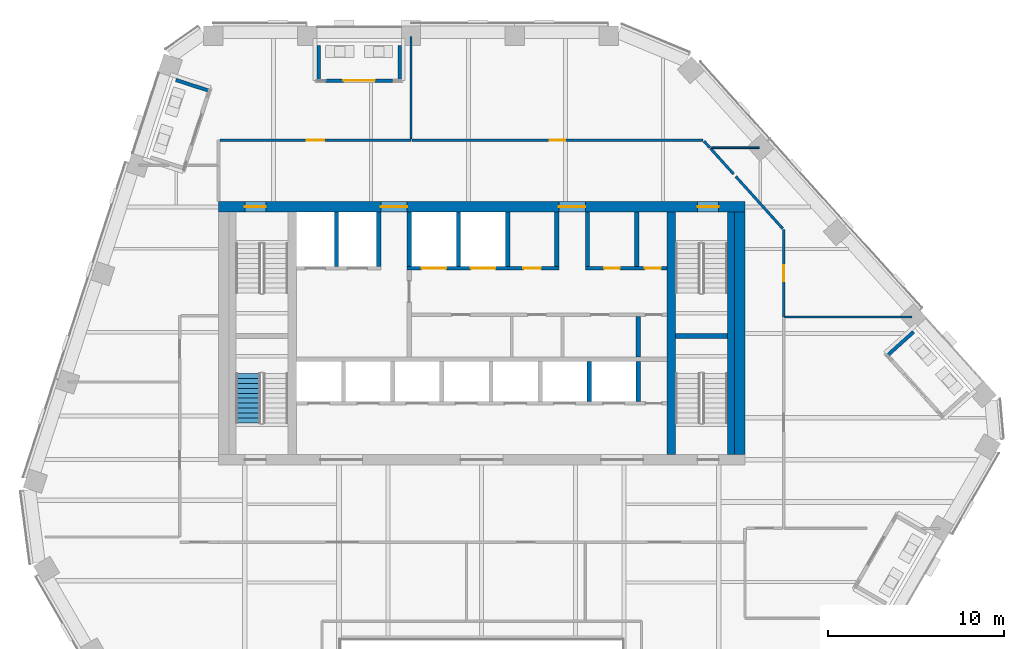
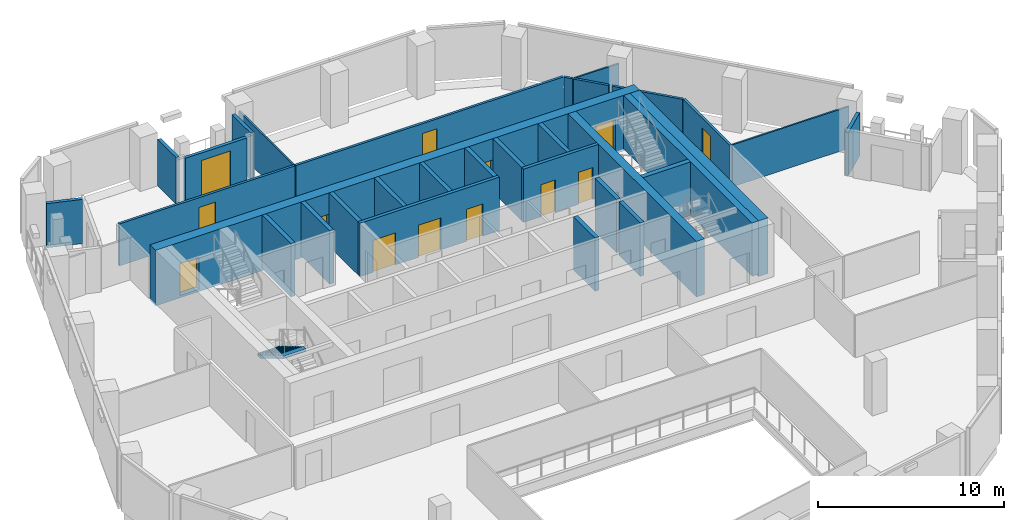
# One storey, part 18 of 25: 32 walls, 13 doors, 1 stair flight, 13 openings, 1 element without a shape of its own.
"""IFC4 building model written with IfcOpenShell, lengths in metres."""

import ifcopenshell
import ifcopenshell.guid

model = None  # the IFC model being written
_history = None  # IfcOwnerHistory: only IFC2X3 demands one
_inside = {}  # id of a spatial element -> (the spatial element, [elements in it])
_under = {}  # id of a project, library or spatial element -> (it, [spatial elements below it])
_declared = {}  # id of a project -> (the project, [libraries it declares])
_typed = {}  # id of a type object -> (the type object, [elements of that type])
_made_of = {}  # id of a material, layer set ... -> (it, [elements and type objects made of it])


def new_model(schema):
    """Start an empty IFC model of exactly this schema.

    Asked for "IFC4X3", IfcOpenShell would pick the latest addendum, in which some entities
    have other attributes; the version numbers below select the first issue.
    IFC2X3 requires an IfcOwnerHistory on every rooted entity: one is made here for all.
    """
    global model, _history
    if schema == "IFC4X3":
        model = ifcopenshell.file(schema_version=(4, 3, 0, 0))
    else:
        model = ifcopenshell.file(schema=schema)
    _inside.clear()
    _under.clear()
    _declared.clear()
    _typed.clear()
    _made_of.clear()
    _history = None
    if model.schema == "IFC2X3":
        org = make("IfcOrganization", Name="unknown")
        user = make(
            "IfcPersonAndOrganization",
            ThePerson=make("IfcPerson", FamilyName="unknown"),
            TheOrganization=org,
        )
        app = make(
            "IfcApplication",
            ApplicationDeveloper=org,
            Version="unknown",
            ApplicationFullName="unknown",
            ApplicationIdentifier="unknown",
        )
        _history = make(
            "IfcOwnerHistory",
            OwningUser=user,
            OwningApplication=app,
            ChangeAction="ADDED",
            CreationDate=0,
        )
    return model


def make(cls, **values):
    """One entity of the class cls with the attributes given. An attribute that is None is left unset."""
    return model.create_entity(
        cls, **{name: value for name, value in values.items() if value is not None}
    )


def rooted(cls, **values):
    """An entity with a GlobalId (a new one), such as an element, a storey or a relation."""
    return make(cls, GlobalId=ifcopenshell.guid.new(), OwnerHistory=_history, **values)


def si_unit(unit_type, name, prefix=None):
    """IfcSIUnit, for example si_unit("LENGTHUNIT", "METRE", prefix="MILLI")."""
    return make("IfcSIUnit", UnitType=unit_type, Prefix=prefix, Name=name)


def assignment(units):
    """IfcUnitAssignment: the units of a project."""
    return None if units is None else make("IfcUnitAssignment", Units=units)


def point(xyz):
    """IfcCartesianPoint."""
    return None if xyz is None else make("IfcCartesianPoint", Coordinates=xyz)


def direction(xyz):
    """IfcDirection."""
    return None if xyz is None else make("IfcDirection", DirectionRatios=xyz)


def frame(location, z_axis=None, x_axis=None):
    """IfcAxis2Placement3D, a coordinate frame: its origin and axes. An axis left out is left unset."""
    return make(
        "IfcAxis2Placement3D",
        Location=point(location),
        Axis=direction(z_axis),
        RefDirection=direction(x_axis),
    )


def frame_2d(location, x_axis=None):
    """IfcAxis2Placement2D, a coordinate frame in the plane: its origin and x axis."""
    return make(
        "IfcAxis2Placement2D", Location=point(location), RefDirection=direction(x_axis)
    )


def origin():
    """The frame at (0, 0, 0) with its axes left unset."""
    return frame((0.0, 0.0, 0.0))


def place(relative_to, where):
    """IfcLocalPlacement: puts the frame where relative to a parent placement (None: the world)."""
    return make(
        "IfcLocalPlacement", PlacementRelTo=relative_to, RelativePlacement=where
    )


def context(
    kind, dimensions, precision=None, world=None, true_north=None, identifier=None
):
    """IfcGeometricRepresentationContext, for example the 3D "Model" context."""
    return make(
        "IfcGeometricRepresentationContext",
        ContextIdentifier=identifier,
        ContextType=kind,
        CoordinateSpaceDimension=dimensions,
        Precision=precision,
        WorldCoordinateSystem=world,
        TrueNorth=true_north,
    )


def subcontext(parent, identifier, kind, view, scale=None):
    """IfcGeometricRepresentationSubContext, for example "Body" below "Model"."""
    return make(
        "IfcGeometricRepresentationSubContext",
        ContextIdentifier=identifier,
        ContextType=kind,
        ParentContext=parent,
        TargetScale=scale,
        TargetView=view,
    )


def project(units=None, contexts=None):
    """IfcProject with its units and contexts."""
    return rooted(
        "IfcProject",
        Name="project",
        RepresentationContexts=contexts,
        UnitsInContext=assignment(units),
    )


def spatial(cls, under=None, at=None, **own):
    """A site, building, storey or space (cls), placed at a placement, below another one or the project."""
    s = rooted(cls, ObjectPlacement=at, **own)
    if under is not None:
        _under.setdefault(under.id(), (under, []))[1].append(s)
    return s


def polyline(points):
    """IfcPolyline through the points."""
    return make("IfcPolyline", Points=[point(p) for p in points])


def profile(cls, at=None, kind="AREA", **sizes):
    """A parametric profile (cls). Its sizes go by their IFC names, for example OverallWidth=200.0."""
    return make(cls, ProfileType=kind, Position=at, **sizes)


def rectangle(**sizes):
    """IfcRectangleProfileDef."""
    return profile("IfcRectangleProfileDef", **sizes)


def outline(outer, holes=None, kind="AREA"):
    """IfcArbitraryClosedProfileDef: a profile drawn as a closed curve; with holes, ...WithVoids."""
    if holes is None:
        return make("IfcArbitraryClosedProfileDef", ProfileType=kind, OuterCurve=outer)
    return make(
        "IfcArbitraryProfileDefWithVoids",
        ProfileType=kind,
        OuterCurve=outer,
        InnerCurves=holes,
    )


def extrude(swept, where, along, depth):
    """IfcExtrudedAreaSolid: the profile swept, set in the frame where, extruded along a direction by depth."""
    return make(
        "IfcExtrudedAreaSolid",
        SweptArea=swept,
        Position=where,
        ExtrudedDirection=direction(along),
        Depth=depth,
    )


def shape(context_of_items, identifier, shape_type, items):
    """IfcShapeRepresentation: the items that make up one representation, for example the "Body"."""
    return make(
        "IfcShapeRepresentation",
        ContextOfItems=context_of_items,
        RepresentationIdentifier=identifier,
        RepresentationType=shape_type,
        Items=items,
    )


def material(Name=None, Category=None):
    """IfcMaterial."""
    return make("IfcMaterial", Name=Name, Category=Category)


def layer(
    of_material, thickness, ventilated=None, Name=None, Category=None, Priority=None
):
    """IfcMaterialLayer: one layer of a wall or slab, of a material (None: an air gap)."""
    return make(
        "IfcMaterialLayer",
        Material=of_material,
        LayerThickness=thickness,
        IsVentilated=ventilated,
        Name=Name,
        Category=Category,
        Priority=Priority,
    )


def layer_set(layers, Name=None):
    """IfcMaterialLayerSet."""
    return make("IfcMaterialLayerSet", MaterialLayers=layers, LayerSetName=Name)


def made_of(thing, what):
    """Note that an element or type object is made of a material, layer set ...; save() writes the relation."""
    if what is not None:
        _made_of.setdefault(what.id(), (what, []))[1].append(thing)
    return thing


def type_object(cls, material=None, **own):
    """A type object (cls), such as IfcWallType, which elements share."""
    return made_of(rooted(cls, **own), material)


def element(
    cls,
    number,
    at=None,
    inside=None,
    cuts=None,
    type_object=None,
    material=None,
    context=None,
    identifier="Body",
    shape_type=None,
    held_by="IfcProductDefinitionShape",
    body=None,
    shapes=None,
    **own,
):
    """One element of the class cls, such as IfcWall. Its Tag is "e" and its number.

    at: its placement. inside: the storey or other place that contains it. cuts: it is an
    opening in that element (IfcRelVoidsElement). A single representation is given by context,
    identifier, shape_type and body (its items); several are given by shapes. held_by: the class
    of the entity that holds the representations. save() writes the other relations.
    """
    e = rooted(cls, Tag="e%d" % number, ObjectPlacement=at, **own)
    if body is not None:
        shapes = [shape(context, identifier, shape_type, body)]
    if shapes is not None:
        e.Representation = make(held_by, Representations=shapes)
    if inside is not None:
        _inside.setdefault(inside.id(), (inside, []))[1].append(e)
    if cuts is not None:
        rooted(
            "IfcRelVoidsElement", RelatingBuildingElement=cuts, RelatedOpeningElement=e
        )
    if type_object is not None:
        _typed.setdefault(type_object.id(), (type_object, []))[1].append(e)
    return made_of(e, material)


def fill(opening, filler):
    """IfcRelFillsElement: the door or window that sits in an opening."""
    return rooted(
        "IfcRelFillsElement",
        RelatingOpeningElement=opening,
        RelatedBuildingElement=filler,
    )


def aggregate(whole, parts):
    """IfcRelAggregates: a whole, such as a stair, and the parts it consists of."""
    return rooted("IfcRelAggregates", RelatingObject=whole, RelatedObjects=parts)


def save(model, path):
    """Write the relations noted so far, then the file.

    IfcRelAggregates (storeys below a building ...), IfcRelContainedInSpatialStructure (elements
    in a storey), IfcRelDefinesByType, IfcRelAssociatesMaterial and IfcRelDeclares: one each for
    every whole, place, type object, material and project.
    """
    for whole, parts in _under.values():
        aggregate(whole, parts)
    for where, things in _inside.values():
        rooted(
            "IfcRelContainedInSpatialStructure",
            RelatedElements=things,
            RelatingStructure=where,
        )
    for kind, things in _typed.values():
        rooted("IfcRelDefinesByType", RelatedObjects=things, RelatingType=kind)
    for what, things in _made_of.values():
        rooted("IfcRelAssociatesMaterial", RelatedObjects=things, RelatingMaterial=what)
    for by, libraries in _declared.values():
        rooted("IfcRelDeclares", RelatingContext=by, RelatedDefinitions=libraries)
    model.write(path)


model = new_model("IFC4")

# Units and contexts
model_context = context("Model", 3, precision=1e-05, world=origin(), true_north=direction((0.0, 1.0)))
body_context = subcontext(model_context, "Body", "Model", "MODEL_VIEW")
ifc_project = project(units=[si_unit("LENGTHUNIT", "METRE"), si_unit("AREAUNIT", "SQUARE_METRE"), si_unit("VOLUMEUNIT", "CUBIC_METRE"), si_unit("PLANEANGLEUNIT", "RADIAN"), si_unit("MASSUNIT", "GRAM", prefix="KILO")], contexts=[model_context])

# Site, building, storey
site_placement = place(None, origin())
site = spatial("IfcSite", under=ifc_project, at=site_placement, CompositionType="ELEMENT")
building_placement = place(site_placement, origin())
building = spatial("IfcBuilding", under=site, at=building_placement, Name="Isthmus Gate Tower", CompositionType="ELEMENT")
storey_placement = place(building_placement, frame((0.0, 0.0, 249.14990234375)))
storey = spatial("IfcBuildingStorey", under=building, at=storey_placement, Name="L63", CompositionType="ELEMENT", Elevation=249.14990234375)

# Wall, opening, door
ifc_material_1 = material(Name="Gypsum board on steel studs, fire-rated", Category="steel")
ifc_layer_1 = layer(ifc_material_1, 0.14990234375)
ifc_layer_set_1 = layer_set([ifc_layer_1], Name="CORRIDOR WALL 150 60 MIN")
wall_type_1 = type_object("IfcWallType", Name="CORRIDOR WALL 150 60 MIN", PredefinedType="PARTITIONING", material=ifc_layer_set_1)
wall_1_placement = place(storey_placement, frame((17.199951171875, 13.407958984375, 0.0), z_axis=(0.0, 0.0, 1.0), x_axis=(0.0, -1.0, 0.0)))
wall_1 = element("IfcWall", 1, at=wall_1_placement, inside=storey, type_object=wall_type_1, Name="L63 Corridor Wall 150 60 Min", PredefinedType="PARTITIONING", context=body_context, shape_type="SweptSolid", body=[
    extrude(rectangle(XDim=4.97998046875, YDim=0.14990234375, at=frame_2d((2.489990234375, 0.0))), origin(), (0.0, 0.0, 1.0), 2.750732421875),
])
opening_1_placement = place(wall_1_placement, frame((2.0400390625, 0.0, 0.0)))
opening_1 = element("IfcOpeningElement", 2, at=opening_1_placement, cuts=wall_1, Name="Opening DT-T5D-04", PredefinedType="OPENING", context=body_context, shape_type="SweptSolid", body=[
    extrude(rectangle(XDim=0.89990234375, YDim=2.10009765625, at=frame_2d((0.449951171875, 1.050048828125))), frame((0.0, 0.0849609375, 0.0), z_axis=(0.0, -1.0, 0.0), x_axis=(1.0, 0.0, 0.0)), (0.0, 0.0, 1.0), 0.169921875),
])
ifc_material_2 = material(Name="Solid core timber door leaf, fire-rated", Category="wood")
door_type_1 = type_object("IfcDoorType", Name="FIRE DOOR ROOM 900 X 2100 60 MIN", OperationType="SINGLE_SWING_LEFT", PredefinedType="DOOR", material=ifc_material_2)
door_1_placement = place(opening_1_placement, origin())
door_1 = element("IfcDoor", 3, at=door_1_placement, inside=storey, type_object=door_type_1, Name="L63 room door", OperationType="SINGLE_SWING_LEFT", OverallHeight=2.10009765625, OverallWidth=0.89990234375, PredefinedType="DOOR", context=body_context, shape_type="SweptSolid", body=[
    extrude(rectangle(XDim=0.89990234375, YDim=2.10009765625, at=frame_2d((0.449951171875, 1.050048828125))), frame((0.0, 0.02490234375, 0.0), z_axis=(0.0, -1.0, 0.0), x_axis=(1.0, 0.0, 0.0)), (0.0, 0.0, 1.0), 0.050048828125),
])
fill(opening_1, door_1)

wall_2_placement = place(storey_placement, frame((-14.925048828125, 18.5, 0.0), z_axis=(0.0, 0.0, 1.0), x_axis=(1.0, 0.0, 0.0)))
wall_2 = element("IfcWall", 4, at=wall_2_placement, inside=storey, type_object=wall_type_1, Name="L63 Corridor Wall 150 60 Min", PredefinedType="PARTITIONING", context=body_context, shape_type="SweptSolid", body=[
    extrude(rectangle(XDim=10.89501953125, YDim=0.14990234375, at=frame_2d((5.447509765625, 0.0))), origin(), (0.0, 0.0, 1.0), 2.750732421875),
])
opening_2_placement = place(wall_2_placement, frame((4.947509765625, 0.0, 0.0)))
opening_2 = element("IfcOpeningElement", 5, at=opening_2_placement, cuts=wall_2, Name="Opening DT-T5D-01", PredefinedType="OPENING", context=body_context, shape_type="SweptSolid", body=[
    extrude(rectangle(XDim=1.0, YDim=2.10009765625, at=frame_2d((0.5, 1.050048828125))), frame((0.0, 0.0849609375, 0.0), z_axis=(0.0, -1.0, 0.0), x_axis=(1.0, 0.0, 0.0)), (0.0, 0.0, 1.0), 0.169921875),
])
ifc_material_3 = material(Name="Solid core timber door leaf, fire-rated", Category="wood")
door_type_2 = type_object("IfcDoorType", Name="FIRE DOOR ROOM 1000 X 2100 60 MIN", OperationType="SINGLE_SWING_LEFT", PredefinedType="DOOR", material=ifc_material_3)
door_2_placement = place(opening_2_placement, origin())
door_2 = element("IfcDoor", 6, at=door_2_placement, inside=storey, type_object=door_type_2, Name="L63 room door", OperationType="SINGLE_SWING_RIGHT", OverallHeight=2.10009765625, OverallWidth=1.0, PredefinedType="DOOR", context=body_context, shape_type="SweptSolid", body=[
    extrude(rectangle(XDim=1.0, YDim=2.10009765625, at=frame_2d((0.5, 1.050048828125))), frame((0.0, 0.02490234375, 0.0), z_axis=(0.0, -1.0, 0.0), x_axis=(1.0, 0.0, 0.0)), (0.0, 0.0, 1.0), 0.050048828125),
])
fill(opening_2, door_2)

wall_3_placement = place(storey_placement, frame((-3.97998046875, 18.5, 0.0), z_axis=(0.0, 0.0, 1.0), x_axis=(1.0, 0.0, 0.0)))
wall_3 = element("IfcWall", 7, at=wall_3_placement, inside=storey, type_object=wall_type_1, Name="L63 Corridor Wall 150 60 Min", PredefinedType="PARTITIONING", context=body_context, shape_type="SweptSolid", body=[
    extrude(rectangle(XDim=16.594970703125, YDim=0.14990234375, at=frame_2d((8.29736328125, 0.0))), origin(), (0.0, 0.0, 1.0), 2.750732421875),
])
opening_3_placement = place(wall_3_placement, frame((7.847412109375, 0.0, 0.0)))
opening_3 = element("IfcOpeningElement", 8, at=opening_3_placement, cuts=wall_3, Name="Opening DT-T5D-02", PredefinedType="OPENING", context=body_context, shape_type="SweptSolid", body=[
    extrude(rectangle(XDim=0.89990234375, YDim=2.10009765625, at=frame_2d((0.449951171875, 1.050048828125))), frame((0.0, 0.0849609375, 0.0), z_axis=(0.0, -1.0, 0.0), x_axis=(1.0, 0.0, 0.0)), (0.0, 0.0, 1.0), 0.169921875),
])
door_3_placement = place(opening_3_placement, origin())
door_3 = element("IfcDoor", 9, at=door_3_placement, inside=storey, type_object=door_type_1, Name="L63 room door", OperationType="SINGLE_SWING_RIGHT", OverallHeight=2.10009765625, OverallWidth=0.89990234375, PredefinedType="DOOR", context=body_context, shape_type="SweptSolid", body=[
    extrude(rectangle(XDim=0.89990234375, YDim=2.10009765625, at=frame_2d((0.449951171875, 1.050048828125))), frame((0.0, 0.02490234375, 0.0), z_axis=(0.0, -1.0, 0.0), x_axis=(1.0, 0.0, 0.0)), (0.0, 0.0, 1.0), 0.050048828125),
])
fill(opening_3, door_3)

# Walls
wall_4_placement = place(storey_placement, frame((12.6650390625, 18.444091796875, 0.0), z_axis=(0.0, 0.0, 1.0), x_axis=(0.668637752652, -0.743588297197, 0.0)))
element("IfcWall", 10, at=wall_4_placement, inside=storey, type_object=wall_type_1, Name="L63 Corridor Wall 150 60 Min", PredefinedType="PARTITIONING", context=body_context, shape_type="SweptSolid", body=[
    extrude(rectangle(XDim=0.4951171875, YDim=0.14990234375, at=frame_2d((0.24755859375, 0.0))), origin(), (0.0, 0.0, 1.0), 2.750732421875),
])
wall_5_placement = place(storey_placement, frame((13.029541015625, 18.038818359375, 0.0), z_axis=(0.0, 0.0, 1.0), x_axis=(0.669183955235, -0.743096786466, 0.0)))
element("IfcWall", 11, at=wall_5_placement, inside=storey, type_object=wall_type_1, Name="L63 Corridor Wall 150 60 Min", PredefinedType="PARTITIONING", context=body_context, shape_type="SweptSolid", body=[
    extrude(rectangle(XDim=1.96875, YDim=0.14990234375, at=frame_2d((0.984375, 0.0))), origin(), (0.0, 0.0, 1.0), 2.750732421875),
])
wall_6_placement = place(storey_placement, frame((14.47607421875, 16.4326171875, 0.0), z_axis=(0.0, 0.0, 1.0), x_axis=(0.669204384193, -0.743078388985, 0.0)))
element("IfcWall", 12, at=wall_6_placement, inside=storey, type_object=wall_type_1, Name="L63 Corridor Wall 150 60 Min", PredefinedType="PARTITIONING", context=body_context, shape_type="SweptSolid", body=[
    extrude(rectangle(XDim=3.99560546875, YDim=0.14990234375, at=frame_2d((1.997802734375, 0.0))), origin(), (0.0, 0.0, 1.0), 2.750732421875),
])

# Wall, opening, door
ifc_material_4 = material(Name="Precast concrete C40/50", Category="concrete")
ifc_layer_2 = layer(ifc_material_4, 0.199951171875)
ifc_layer_set_2 = layer_set([ifc_layer_2], Name="LOGGIA WALL 200")
wall_type_2 = type_object("IfcWallType", Name="LOGGIA WALL 200", PredefinedType="SOLIDWALL", material=ifc_layer_set_2)
wall_7_placement = place(storey_placement, frame((-5.080078125, 21.89990234375, 0.0), z_axis=(0.0, 0.0, 1.0), x_axis=(-1.0, 0.0, 0.0)))
wall_7 = element("IfcWall", 13, at=wall_7_placement, inside=storey, type_object=wall_type_2, Name="LOGGIA BACK WALL", PredefinedType="SOLIDWALL", context=body_context, shape_type="SweptSolid", body=[
    extrude(rectangle(XDim=3.810546875, YDim=0.199951171875, at=frame_2d((1.9052734375, 0.0))), origin(), (0.0, 0.0, 1.0), 2.89697265625),
])
opening_4_placement = place(wall_7_placement, frame((1.00537109375, 0.0, 0.0)))
opening_4 = element("IfcOpeningElement", 14, at=opening_4_placement, cuts=wall_7, Name="Opening DE63-01", PredefinedType="OPENING", context=body_context, shape_type="SweptSolid", body=[
    extrude(rectangle(XDim=1.800048828125, YDim=2.39990234375, at=frame_2d((0.89990234375, 1.199951171875))), frame((0.0, 0.10986328125, 0.0), z_axis=(0.0, -1.0, 0.0), x_axis=(1.0, 0.0, 0.0)), (0.0, 0.0, 1.0), 0.219970703125),
])
ifc_material_5 = material(Name="Aluminium, pale champagne anodised, laminated glass", Category="aluminium")
door_type_3 = type_object("IfcDoorType", Name="LOGGIA DOOR SLIDING 1800 X 2400", OperationType="DOUBLE_DOOR_SLIDING", PredefinedType="DOOR", material=ifc_material_5)
door_4_placement = place(opening_4_placement, origin())
door_4 = element("IfcDoor", 15, at=door_4_placement, inside=storey, type_object=door_type_3, Name="DOOR DE63-01", OperationType="SINGLE_SWING_LEFT", OverallHeight=2.39990234375, OverallWidth=1.800048828125, PredefinedType="DOOR", context=body_context, shape_type="SweptSolid", body=[
    extrude(rectangle(XDim=1.800048828125, YDim=2.39990234375, at=frame_2d((0.89990234375, 1.199951171875))), frame((0.0, 0.02490234375, 0.0), z_axis=(0.0, -1.0, 0.0), x_axis=(1.0, 0.0, 0.0)), (0.0, 0.0, 1.0), 0.050048828125),
])
fill(opening_4, door_4)

# Walls
for number, where, z_axis, x_axis, name in (
    (16, (-4.68017578125, 23.89990234375, 0.0), (0.0, 0.0, 1.0), (0.0, -1.0, 0.0), "LOGGIA SIDE WALL"),
    (17, (-9.290771484375, 23.89990234375, 0.0), (0.0, 0.0, 1.0), (0.0, -1.0, 0.0), "LOGGIA SIDE WALL"),
):
    element("IfcWall", number, at=place(storey_placement, frame(where, z_axis=z_axis, x_axis=x_axis)), inside=storey, type_object=wall_type_2, Name=name, PredefinedType="SOLIDWALL", context=body_context, shape_type="SweptSolid", body=[
        extrude(rectangle(XDim=1.98388671875, YDim=0.199951171875, at=frame_2d((0.991943359375, 0.0))), origin(), (0.0, 0.0, 1.0), 3.050048828125),
    ])
wall_8_placement = place(storey_placement, frame((-17.4287109375, 21.933837890625, 0.0), z_axis=(0.0, 0.0, 1.0), x_axis=(0.951019598045, -0.309130593981, 0.0)))
element("IfcWall", 18, at=wall_8_placement, inside=storey, type_object=wall_type_2, Name="LOGGIA SIDE WALL", PredefinedType="SOLIDWALL", context=body_context, shape_type="SweptSolid", body=[
    extrude(rectangle(XDim=1.98388671875, YDim=0.199951171875, at=frame_2d((0.991943359375, 0.0))), origin(), (0.0, 0.0, 1.0), 2.89990234375),
])
wall_9_placement = place(storey_placement, frame((24.603515625, 7.576416015625, 0.0), z_axis=(0.0, 0.0, 1.0), x_axis=(-0.743177871017, -0.669093903746, 0.0)))
element("IfcWall", 19, at=wall_9_placement, inside=storey, type_object=wall_type_2, Name="LOGGIA SIDE WALL", PredefinedType="SOLIDWALL", context=body_context, shape_type="SweptSolid", body=[
    extrude(rectangle(XDim=1.98388671875, YDim=0.199951171875, at=frame_2d((0.991943359375, 0.0))), origin(), (0.0, 0.0, 1.0), 2.82080078125),
])
ifc_material_6 = material(Name="Concrete f'c 50 MPa", Category="concrete")
ifc_layer_3 = layer(ifc_material_6, 0.5)
ifc_layer_set_3 = layer_set([ifc_layer_3], Name="RC CORE SPINE WALL 500 F'C 50")
wall_type_3 = type_object("IfcWallType", Name="RC CORE SPINE WALL 500 F'C 50", PredefinedType="SOLIDWALL", material=ifc_layer_set_3)
wall_10_placement = place(storey_placement, frame((10.800048828125, 0.60009765625, -0.14990234375), z_axis=(0.0, 0.0, 1.0), x_axis=(0.0, 1.0, 0.0)))
element("IfcWall", 20, at=wall_10_placement, inside=storey, type_object=wall_type_3, Name="str-corewall-L63-SPE", PredefinedType="SOLIDWALL", context=body_context, shape_type="SweptSolid", body=[
    extrude(rectangle(XDim=13.7998046875, YDim=0.5, at=frame_2d((6.89990234375, 0.0))), origin(), (0.0, 0.0, 1.0), 3.64990234375),
])

# Wall, openings, doors
ifc_material_7 = material(Name="Concrete f'c 50 MPa", Category="concrete")
ifc_layer_4 = layer(ifc_material_7, 0.60009765625)
ifc_layer_set_4 = layer_set([ifc_layer_4], Name="RC CORE WALL 600 F'C 50")
wall_type_4 = type_object("IfcWallType", Name="RC CORE WALL 600 F'C 50", PredefinedType="SOLIDWALL", material=ifc_layer_set_4)
wall_11_placement = place(storey_placement, frame((-15.0, 14.699951171875, -0.14990234375), z_axis=(0.0, 0.0, 1.0), x_axis=(1.0, 0.0, 0.0)))
wall_11 = element("IfcWall", 21, at=wall_11_placement, inside=storey, type_object=wall_type_4, Name="str-corewall-L63-N", PredefinedType="SOLIDWALL", context=body_context, shape_type="SweptSolid", body=[
    extrude(rectangle(XDim=30.0, YDim=0.60009765625, at=frame_2d((15.0, 0.0))), origin(), (0.0, 0.0, 1.0), 3.64990234375),
])
opening_5_placement = place(wall_11_placement, frame((9.25, 0.0, 0.14990234375)))
opening_5 = element("IfcOpeningElement", 22, at=opening_5_placement, cuts=wall_11, Name="Opening DC-A17-13", PredefinedType="OPENING", context=body_context, shape_type="SweptSolid", body=[
    extrude(rectangle(XDim=1.5, YDim=2.10009765625, at=frame_2d((0.75, 1.050048828125))), frame((0.0, 0.31005859375, 0.0), z_axis=(0.0, -1.0, 0.0), x_axis=(1.0, 0.0, 0.0)), (0.0, 0.0, 1.0), 0.6201171875),
])
opening_6_placement = place(wall_11_placement, frame((19.39990234375, 0.0, 0.14990234375)))
opening_6 = element("IfcOpeningElement", 23, at=opening_6_placement, cuts=wall_11, Name="Opening DC-A17-14", PredefinedType="OPENING", context=body_context, shape_type="SweptSolid", body=[
    extrude(rectangle(XDim=1.5, YDim=2.10009765625, at=frame_2d((0.75, 1.050048828125))), frame((0.0, 0.31005859375, 0.0), z_axis=(0.0, -1.0, 0.0), x_axis=(1.0, 0.0, 0.0)), (0.0, 0.0, 1.0), 0.6201171875),
])
opening_7_placement = place(wall_11_placement, frame((1.5, 0.0, 0.14990234375)))
opening_7 = element("IfcOpeningElement", 24, at=opening_7_placement, cuts=wall_11, Name="Opening DC-A17-15", PredefinedType="OPENING", context=body_context, shape_type="SweptSolid", body=[
    extrude(rectangle(XDim=1.199951171875, YDim=2.10009765625, at=frame_2d((0.60009765625, 1.050048828125))), frame((0.0, 0.31005859375, 0.0), z_axis=(0.0, -1.0, 0.0), x_axis=(1.0, 0.0, 0.0)), (0.0, 0.0, 1.0), 0.6201171875),
])
opening_8_placement = place(wall_11_placement, frame((27.300048828125, 0.0, 0.14990234375)))
opening_8 = element("IfcOpeningElement", 25, at=opening_8_placement, cuts=wall_11, Name="Opening DC-A17-16", PredefinedType="OPENING", context=body_context, shape_type="SweptSolid", body=[
    extrude(rectangle(XDim=1.199951171875, YDim=2.10009765625, at=frame_2d((0.60009765625, 1.050048828125))), frame((0.0, 0.31005859375, 0.0), z_axis=(0.0, -1.0, 0.0), x_axis=(1.0, 0.0, 0.0)), (0.0, 0.0, 1.0), 0.6201171875),
])
ifc_material_8 = material(Name="Steel door leaf, fire-rated", Category="steel")
door_type_4 = type_object("IfcDoorType", Name="LOBBY FIRE DOOR 1500 X 2100 60 MIN", OperationType="DOUBLE_DOOR_SINGLE_SWING", PredefinedType="DOOR", material=ifc_material_8)
door_5_placement = place(opening_6_placement, origin())
door_5 = element("IfcDoor", 26, at=door_5_placement, inside=storey, type_object=door_type_4, Name="Lobby Door PN-E", OperationType="DOUBLE_DOOR_SINGLE_SWING", OverallHeight=2.10009765625, OverallWidth=1.5, PredefinedType="DOOR", context=body_context, shape_type="SweptSolid", body=[
    extrude(rectangle(XDim=1.5, YDim=2.10009765625, at=frame_2d((0.75, 1.050048828125))), frame((0.0, 0.02490234375, 0.0), z_axis=(0.0, -1.0, 0.0), x_axis=(1.0, 0.0, 0.0)), (0.0, 0.0, 1.0), 0.050048828125),
])
fill(opening_6, door_5)
ifc_material_9 = material(Name="Steel door leaf, fire-rated", Category="steel")
door_type_5 = type_object("IfcDoorType", Name="LOBBY FIRE DOOR 1500 X 2100 90 MIN", OperationType="DOUBLE_DOOR_SINGLE_SWING", PredefinedType="DOOR", material=ifc_material_9)
door_6_placement = place(opening_5_placement, origin())
door_6 = element("IfcDoor", 27, at=door_6_placement, inside=storey, type_object=door_type_5, Name="Lobby Door PN-W", OperationType="DOUBLE_DOOR_SINGLE_SWING", OverallHeight=2.10009765625, OverallWidth=1.5, PredefinedType="DOOR", context=body_context, shape_type="SweptSolid", body=[
    extrude(rectangle(XDim=1.5, YDim=2.10009765625, at=frame_2d((0.75, 1.050048828125))), frame((0.0, 0.02490234375, 0.0), z_axis=(0.0, -1.0, 0.0), x_axis=(1.0, 0.0, 0.0)), (0.0, 0.0, 1.0), 0.050048828125),
])
fill(opening_5, door_6)
ifc_material_10 = material(Name="Steel door leaf, fire-rated", Category="steel")
door_type_6 = type_object("IfcDoorType", Name="STAIR FIRE DOOR 1200 X 2100 90 MIN", OperationType="SINGLE_SWING_LEFT", PredefinedType="DOOR", material=ifc_material_10)
door_7_placement = place(opening_7_placement, origin())
door_7 = element("IfcDoor", 28, at=door_7_placement, inside=storey, type_object=door_type_6, Name="Exit Stair 1 Door", OperationType="SINGLE_SWING_RIGHT", OverallHeight=2.10009765625, OverallWidth=1.199951171875, PredefinedType="DOOR", context=body_context, shape_type="SweptSolid", body=[
    extrude(rectangle(XDim=1.199951171875, YDim=2.10009765625, at=frame_2d((0.60009765625, 1.050048828125))), frame((0.0, 0.02490234375, 0.0), z_axis=(0.0, -1.0, 0.0), x_axis=(1.0, 0.0, 0.0)), (0.0, 0.0, 1.0), 0.050048828125),
])
fill(opening_7, door_7)
door_8_placement = place(opening_8_placement, origin())
door_8 = element("IfcDoor", 29, at=door_8_placement, inside=storey, type_object=door_type_6, Name="Exit Stair 2 Door", OperationType="SINGLE_SWING_LEFT", OverallHeight=2.10009765625, OverallWidth=1.199951171875, PredefinedType="DOOR", context=body_context, shape_type="SweptSolid", body=[
    extrude(rectangle(XDim=1.199951171875, YDim=2.10009765625, at=frame_2d((0.60009765625, 1.050048828125))), frame((0.0, 0.02490234375, 0.0), z_axis=(0.0, -1.0, 0.0), x_axis=(1.0, 0.0, 0.0)), (0.0, 0.0, 1.0), 0.050048828125),
])
fill(opening_8, door_8)

# Walls
wall_12_placement = place(storey_placement, frame((14.699951171875, 0.60009765625, -0.14990234375), z_axis=(0.0, 0.0, 1.0), x_axis=(0.0, 1.0, 0.0)))
element("IfcWall", 30, at=wall_12_placement, inside=storey, type_object=wall_type_4, Name="str-corewall-L63-E", PredefinedType="SOLIDWALL", context=body_context, shape_type="SweptSolid", body=[
    extrude(rectangle(XDim=13.7998046875, YDim=0.60009765625, at=frame_2d((6.89990234375, 0.0))), origin(), (0.0, 0.0, 1.0), 3.64990234375),
])
ifc_material_11 = material(Name="Gypsum board on steel studs, fire-rated", Category="steel")
ifc_layer_5 = layer(ifc_material_11, 0.10009765625)
ifc_layer_set_5 = layer_set([ifc_layer_5], Name="ROOM PARTITION 100 30 MIN")
wall_type_5 = type_object("IfcWallType", Name="ROOM PARTITION 100 30 MIN", PredefinedType="PARTITIONING", material=ifc_layer_set_5)
wall_13_placement = place(storey_placement, frame((-4.030029296875, 18.574951171875, 0.0), z_axis=(0.0, 0.0, 1.0), x_axis=(0.0, 1.0, 0.0)))
element("IfcWall", 31, at=wall_13_placement, inside=storey, type_object=wall_type_5, Name="L63 Room Partition 100 30 Min", PredefinedType="PARTITIONING", context=body_context, shape_type="SweptSolid", body=[
    extrude(rectangle(XDim=5.824951171875, YDim=0.10009765625, at=frame_2d((2.91259765625, 0.0))), origin(), (0.0, 0.0, 1.0), 2.750732421875),
])
wall_14_placement = place(storey_placement, frame((13.096923828125, 18.075927734375, 0.0), z_axis=(0.0, 0.0, 1.0), x_axis=(1.0, 0.0, 0.0)))
element("IfcWall", 32, at=wall_14_placement, inside=storey, type_object=wall_type_5, Name="L63 Room Partition 100 30 Min", PredefinedType="PARTITIONING", context=body_context, shape_type="SweptSolid", body=[
    extrude(rectangle(XDim=2.72509765625, YDim=0.10009765625, at=frame_2d((1.362548828125, 0.0))), origin(), (0.0, 0.0, 1.0), 2.750732421875),
])
wall_15_placement = place(storey_placement, frame((17.27490234375, 8.427978515625, 0.0), z_axis=(0.0, 0.0, 1.0), x_axis=(1.0, 0.0, 0.0)))
element("IfcWall", 33, at=wall_15_placement, inside=storey, type_object=wall_type_5, Name="L63 Room Partition 100 30 Min", PredefinedType="PARTITIONING", context=body_context, shape_type="SweptSolid", body=[
    extrude(rectangle(XDim=7.235107421875, YDim=0.10009765625, at=frame_2d((3.61767578125, 0.0))), origin(), (0.0, 0.0, 1.0), 2.750732421875),
])

# Wall, openings, doors
ifc_material_12 = material(Name="Fire-rated blockwork masonry, 15 MPa", Category="masonry")
ifc_layer_6 = layer(ifc_material_12, 0.199951171875)
ifc_layer_set_6 = layer_set([ifc_layer_6], Name="SHAFT FRONT WALL 200 120 MIN")
wall_type_6 = type_object("IfcWallType", Name="SHAFT FRONT WALL 200 120 MIN", PredefinedType="PARTITIONING", material=ifc_layer_set_6)
wall_16_placement = place(storey_placement, frame((-4.25, 11.199951171875, 0.0), z_axis=(0.0, 0.0, 1.0), x_axis=(1.0, 0.0, 0.0)))
wall_16 = element("IfcWall", 34, at=wall_16_placement, inside=storey, type_object=wall_type_6, Name="L63 SHAFT FRONT WALL 200 120 MIN", PredefinedType="PARTITIONING", context=body_context, shape_type="SweptSolid", body=[
    extrude(rectangle(XDim=8.64990234375, YDim=0.199951171875, at=frame_2d((4.324951171875, 0.0))), origin(), (0.0, 0.0, 1.0), 3.5),
])
opening_9_placement = place(wall_16_placement, frame((0.824951171875, 0.0, 0.0)))
opening_9 = element("IfcOpeningElement", 35, at=opening_9_placement, cuts=wall_16, Name="Opening LD-LV1", PredefinedType="OPENING", context=body_context, shape_type="SweptSolid", body=[
    extrude(rectangle(XDim=1.39990234375, YDim=2.10009765625, at=frame_2d((0.699951171875, 1.050048828125))), frame((0.0, 0.10986328125, 0.0), z_axis=(0.0, -1.0, 0.0), x_axis=(1.0, 0.0, 0.0)), (0.0, 0.0, 1.0), 0.219970703125),
])
opening_10_placement = place(wall_16_placement, frame((3.625, 0.0, 0.0)))
opening_10 = element("IfcOpeningElement", 36, at=opening_10_placement, cuts=wall_16, Name="Opening LD-LV2", PredefinedType="OPENING", context=body_context, shape_type="SweptSolid", body=[
    extrude(rectangle(XDim=1.39990234375, YDim=2.10009765625, at=frame_2d((0.699951171875, 1.050048828125))), frame((0.0, 0.10986328125, 0.0), z_axis=(0.0, -1.0, 0.0), x_axis=(1.0, 0.0, 0.0)), (0.0, 0.0, 1.0), 0.219970703125),
])
opening_11_placement = place(wall_16_placement, frame((6.625, 0.0, 0.0)))
opening_11 = element("IfcOpeningElement", 37, at=opening_11_placement, cuts=wall_16, Name="Opening DC-A17-07", PredefinedType="OPENING", context=body_context, shape_type="SweptSolid", body=[
    extrude(rectangle(XDim=1.0, YDim=2.10009765625, at=frame_2d((0.5, 1.050048828125))), frame((0.0, 0.10986328125, 0.0), z_axis=(0.0, -1.0, 0.0), x_axis=(1.0, 0.0, 0.0)), (0.0, 0.0, 1.0), 0.219970703125),
])
ifc_material_13 = material(Name="Steel door leaf, fire-rated", Category="steel")
door_type_7 = type_object("IfcDoorType", Name="FIRE DOOR 1000 X 2100 60 MIN", OperationType="SINGLE_SWING_LEFT", PredefinedType="DOOR", material=ifc_material_13)
door_9_placement = place(opening_11_placement, origin())
door_9 = element("IfcDoor", 38, at=door_9_placement, inside=storey, type_object=door_type_7, Name="Pantry Door", OperationType="SINGLE_SWING_LEFT", OverallHeight=2.10009765625, OverallWidth=1.0, PredefinedType="DOOR", context=body_context, shape_type="SweptSolid", body=[
    extrude(rectangle(XDim=1.0, YDim=2.10009765625, at=frame_2d((0.5, 1.050048828125))), frame((0.0, 0.02490234375, 0.0), z_axis=(0.0, -1.0, 0.0), x_axis=(1.0, 0.0, 0.0)), (0.0, 0.0, 1.0), 0.050048828125),
])
fill(opening_11, door_9)
ifc_material_14 = material(Name="Stainless steel sliding leaf", Category="steel")
door_type_8 = type_object("IfcDoorType", Name="LIFT LANDING FIRE DOOR 1400 X 2100 90 MIN", OperationType="DOUBLE_DOOR_SLIDING", PredefinedType="DOOR", material=ifc_material_14)
door_10_placement = place(opening_9_placement, origin())
door_10 = element("IfcDoor", 39, at=door_10_placement, inside=storey, type_object=door_type_8, Name="Lift Landing Door LV1", OperationType="DOUBLE_DOOR_SLIDING", OverallHeight=2.10009765625, OverallWidth=1.39990234375, PredefinedType="DOOR", context=body_context, shape_type="SweptSolid", body=[
    extrude(rectangle(XDim=1.39990234375, YDim=2.10009765625, at=frame_2d((0.699951171875, 1.050048828125))), frame((0.0, 0.02490234375, 0.0), z_axis=(0.0, -1.0, 0.0), x_axis=(1.0, 0.0, 0.0)), (0.0, 0.0, 1.0), 0.050048828125),
])
fill(opening_9, door_10)
door_11_placement = place(opening_10_placement, origin())
door_11 = element("IfcDoor", 40, at=door_11_placement, inside=storey, type_object=door_type_8, Name="Lift Landing Door LV2", OperationType="DOUBLE_DOOR_SLIDING", OverallHeight=2.10009765625, OverallWidth=1.39990234375, PredefinedType="DOOR", context=body_context, shape_type="SweptSolid", body=[
    extrude(rectangle(XDim=1.39990234375, YDim=2.10009765625, at=frame_2d((0.699951171875, 1.050048828125))), frame((0.0, 0.02490234375, 0.0), z_axis=(0.0, -1.0, 0.0), x_axis=(1.0, 0.0, 0.0)), (0.0, 0.0, 1.0), 0.050048828125),
])
fill(opening_10, door_11)

wall_17_placement = place(storey_placement, frame((5.89990234375, 11.199951171875, 0.0), z_axis=(0.0, 0.0, 1.0), x_axis=(1.0, 0.0, 0.0)))
wall_17 = element("IfcWall", 41, at=wall_17_placement, inside=storey, type_object=wall_type_6, Name="L63 SHAFT FRONT WALL 200 120 MIN", PredefinedType="PARTITIONING", context=body_context, shape_type="SweptSolid", body=[
    extrude(rectangle(XDim=4.650146484375, YDim=0.199951171875, at=frame_2d((2.3251953125, 0.0))), origin(), (0.0, 0.0, 1.0), 3.5),
])
opening_12_placement = place(wall_17_placement, frame((1.074951171875, 0.0, 0.0)))
opening_12 = element("IfcOpeningElement", 42, at=opening_12_placement, cuts=wall_17, Name="Opening DC-A17-08", PredefinedType="OPENING", context=body_context, shape_type="SweptSolid", body=[
    extrude(rectangle(XDim=0.89990234375, YDim=2.10009765625, at=frame_2d((0.449951171875, 1.050048828125))), frame((0.0, 0.10986328125, 0.0), z_axis=(0.0, -1.0, 0.0), x_axis=(1.0, 0.0, 0.0)), (0.0, 0.0, 1.0), 0.219970703125),
])
opening_13_placement = place(wall_17_placement, frame((3.39990234375, 0.0, 0.0)))
opening_13 = element("IfcOpeningElement", 43, at=opening_13_placement, cuts=wall_17, Name="Opening DC-A17-09", PredefinedType="OPENING", context=body_context, shape_type="SweptSolid", body=[
    extrude(rectangle(XDim=0.89990234375, YDim=2.10009765625, at=frame_2d((0.449951171875, 1.050048828125))), frame((0.0, 0.10986328125, 0.0), z_axis=(0.0, -1.0, 0.0), x_axis=(1.0, 0.0, 0.0)), (0.0, 0.0, 1.0), 0.219970703125),
])
ifc_material_15 = material(Name="Steel door leaf, fire-rated", Category="steel")
door_type_9 = type_object("IfcDoorType", Name="FIRE DOOR 900 X 2100 60 MIN", OperationType="SINGLE_SWING_LEFT", PredefinedType="DOOR", material=ifc_material_15)
door_12_placement = place(opening_12_placement, origin())
door_12 = element("IfcDoor", 44, at=door_12_placement, inside=storey, type_object=door_type_9, Name="Cleaner Store Door", OperationType="SINGLE_SWING_RIGHT", OverallHeight=2.10009765625, OverallWidth=0.89990234375, PredefinedType="DOOR", context=body_context, shape_type="SweptSolid", body=[
    extrude(rectangle(XDim=0.89990234375, YDim=2.10009765625, at=frame_2d((0.449951171875, 1.050048828125))), frame((0.0, 0.02490234375, 0.0), z_axis=(0.0, -1.0, 0.0), x_axis=(1.0, 0.0, 0.0)), (0.0, 0.0, 1.0), 0.050048828125),
])
fill(opening_12, door_12)
ifc_material_16 = material(Name="Steel door leaf, fire-rated", Category="steel")
door_type_10 = type_object("IfcDoorType", Name="RISER FIRE DOOR 900 X 2100 90 MIN", OperationType="SINGLE_SWING_LEFT", PredefinedType="DOOR", material=ifc_material_16)
door_13_placement = place(opening_13_placement, origin())
door_13 = element("IfcDoor", 45, at=door_13_placement, inside=storey, type_object=door_type_10, Name="Riser Door", OperationType="SINGLE_SWING_LEFT", OverallHeight=2.10009765625, OverallWidth=0.89990234375, PredefinedType="DOOR", context=body_context, shape_type="SweptSolid", body=[
    extrude(rectangle(XDim=0.89990234375, YDim=2.10009765625, at=frame_2d((0.449951171875, 1.050048828125))), frame((0.0, 0.02490234375, 0.0), z_axis=(0.0, -1.0, 0.0), x_axis=(1.0, 0.0, 0.0)), (0.0, 0.0, 1.0), 0.050048828125),
])
fill(opening_13, door_13)

# Walls
ifc_material_17 = material(Name="Fire-rated blockwork masonry, 15 MPa", Category="masonry")
ifc_layer_7 = layer(ifc_material_17, 0.25)
ifc_layer_set_7 = layer_set([ifc_layer_7], Name="SHAFT WALL 250 120 MIN")
wall_type_7 = type_object("IfcWallType", Name="SHAFT WALL 250 120 MIN", PredefinedType="PARTITIONING", material=ifc_layer_set_7)
for number, where, z_axis, x_axis, name in (
    (46, (6.125, 3.60009765625, 0.0), (0.0, 0.0, 1.0), (0.0, 1.0, 0.0), "L63 SHAFT WALL 250 120 MIN"),
    (47, (8.925048828125, 3.60009765625, 0.0), (0.0, 0.0, 1.0), (0.0, 1.0, 0.0), "L63 SHAFT WALL 250 120 MIN"),
):
    element("IfcWall", number, at=place(storey_placement, frame(where, z_axis=z_axis, x_axis=x_axis)), inside=storey, type_object=wall_type_7, Name=name, PredefinedType="PARTITIONING", context=body_context, shape_type="SweptSolid", body=[
        extrude(rectangle(XDim=2.2998046875, YDim=0.25, at=frame_2d((1.14990234375, 0.0))), origin(), (0.0, 0.0, 1.0), 3.5),
    ])
wall_18_placement = place(storey_placement, frame((8.925048828125, 6.14990234375, 0.0), z_axis=(0.0, 0.0, 1.0), x_axis=(0.0, 1.0, 0.0)))
element("IfcWall", 48, at=wall_18_placement, inside=storey, type_object=wall_type_7, Name="L63 SHAFT WALL 250 120 MIN", PredefinedType="PARTITIONING", context=body_context, shape_type="SweptSolid", body=[
    extrude(rectangle(XDim=2.300048828125, YDim=0.25, at=frame_2d((1.14990234375, 0.0))), origin(), (0.0, 0.0, 1.0), 3.5),
])
for number, where, z_axis, x_axis, name in (
    (49, (-8.27490234375, 11.300048828125, 0.0), (0.0, 0.0, 1.0), (0.0, 1.0, 0.0), "L63 SHAFT WALL 250 120 MIN"),
    (50, (-5.875, 11.300048828125, 0.0), (0.0, 0.0, 1.0), (0.0, 1.0, 0.0), "L63 SHAFT WALL 250 120 MIN"),
    (51, (-4.125, 11.300048828125, 0.0), (0.0, 0.0, 1.0), (0.0, 1.0, 0.0), "L63 SHAFT WALL 250 120 MIN"),
    (52, (-1.324951171875, 11.300048828125, 0.0), (0.0, 0.0, 1.0), (0.0, 1.0, 0.0), "L63 SHAFT WALL 250 120 MIN"),
    (53, (1.47509765625, 11.300048828125, 0.0), (0.0, 0.0, 1.0), (0.0, 1.0, 0.0), "L63 SHAFT WALL 250 120 MIN"),
    (54, (4.27490234375, 11.300048828125, 0.0), (0.0, 0.0, 1.0), (0.0, 1.0, 0.0), "L63 SHAFT WALL 250 120 MIN"),
    (55, (6.02490234375, 11.300048828125, 0.0), (0.0, 0.0, 1.0), (0.0, 1.0, 0.0), "L63 SHAFT WALL 250 120 MIN"),
    (56, (8.824951171875, 11.300048828125, 0.0), (0.0, 0.0, 1.0), (0.0, 1.0, 0.0), "L63 SHAFT WALL 250 120 MIN"),
):
    element("IfcWall", number, at=place(storey_placement, frame(where, z_axis=z_axis, x_axis=x_axis)), inside=storey, type_object=wall_type_7, Name=name, PredefinedType="PARTITIONING", context=body_context, shape_type="SweptSolid", body=[
        extrude(rectangle(XDim=3.099853515625, YDim=0.25, at=frame_2d((1.5498046875, 0.0))), origin(), (0.0, 0.0, 1.0), 3.5),
    ])
ifc_material_18 = material(Name="Concrete f'c 40 MPa", Category="concrete")
ifc_layer_8 = layer(ifc_material_18, 0.300048828125)
ifc_layer_set_8 = layer_set([ifc_layer_8], Name="STAIR ENCLOSURE WALL 300 180 MIN")
wall_type_8 = type_object("IfcWallType", Name="STAIR ENCLOSURE WALL 300 180 MIN", PredefinedType="SOLIDWALL", material=ifc_layer_set_8)
wall_19_placement = place(storey_placement, frame((11.050048828125, 7.35009765625, 0.0), z_axis=(0.0, 0.0, 1.0), x_axis=(1.0, 0.0, 0.0)))
element("IfcWall", 57, at=wall_19_placement, inside=storey, type_object=wall_type_8, Name="L63 STAIR ENCLOSURE WALL 300 180 MIN", PredefinedType="SOLIDWALL", context=body_context, shape_type="SweptSolid", body=[
    extrude(rectangle(XDim=2.949951171875, YDim=0.300048828125, at=frame_2d((1.47509765625, 0.0))), origin(), (0.0, 0.0, 1.0), 3.5),
])
ifc_material_19 = material(Name="Concrete f'c 40 MPa", Category="concrete")
ifc_layer_9 = layer(ifc_material_19, 0.39990234375)
ifc_layer_set_9 = layer_set([ifc_layer_9], Name="STAIR ENCLOSURE WALL 400 180 MIN")
wall_type_9 = type_object("IfcWallType", Name="STAIR ENCLOSURE WALL 400 180 MIN", PredefinedType="SOLIDWALL", material=ifc_layer_set_9)
wall_20_placement = place(storey_placement, frame((14.199951171875, 0.60009765625, 0.0), z_axis=(0.0, 0.0, 1.0), x_axis=(0.0, 1.0, 0.0)))
element("IfcWall", 58, at=wall_20_placement, inside=storey, type_object=wall_type_9, Name="L63 STAIR ENCLOSURE WALL 400 180 MIN", PredefinedType="SOLIDWALL", context=body_context, shape_type="SweptSolid", body=[
    extrude(rectangle(XDim=13.7998046875, YDim=0.39990234375, at=frame_2d((6.89990234375, 0.0))), origin(), (0.0, 0.0, 1.0), 3.5),
])

# Stair, stair flight
ifc_material_20 = material(Name="Concrete f'c 40 MPa", Category="concrete")
stair_type = type_object("IfcStairType", Name="CORE STAIR 22 RISERS", PredefinedType="HALF_TURN_STAIR", material=ifc_material_20)
stair_placement = place(storey_placement, origin())
stair = element("IfcStair", 59, at=stair_placement, inside=storey, type_object=stair_type, Name="L63 Exit Stair 7", PredefinedType="HALF_TURN_STAIR")
ifc_material_21 = material(Name="Concrete f'c 40 MPa", Category="concrete")
stair_flight_type = type_object("IfcStairFlightType", Name="STAIR FLIGHT RC 1400", PredefinedType="STRAIGHT", material=ifc_material_21)
stair_flight_placement = place(storey_placement, frame((-13.300048828125, 5.199951171875, 1.8251953125), z_axis=(0.0, 0.0, 1.0), x_axis=(0.0, -1.0, 0.0)))
stair_flight = element("IfcStairFlight", 60, at=stair_flight_placement, type_object=stair_flight_type, Name="ST7 flight 2", NumberOfRisers=11, NumberOfTreads=10, PredefinedType="STRAIGHT", RiserHeight=0.165909091, TreadLength=0.28, context=body_context, shape_type="SweptSolid", body=[
    extrude(outline(polyline([(0.0, 0.0), (0.0, 0.166015625), (0.280029296875, 0.166015625), (0.280029296875, 0.331787109375), (0.56005859375, 0.331787109375), (0.56005859375, 0.497802734375), (0.840087890625, 0.497802734375), (0.840087890625, 0.66357421875), (1.1201171875, 0.66357421875), (1.1201171875, 0.82958984375), (1.39990234375, 0.82958984375), (1.39990234375, 0.995361328125), (1.679931640625, 0.995361328125), (1.679931640625, 1.161376953125), (1.9599609375, 1.161376953125), (1.9599609375, 1.327392578125), (2.239990234375, 1.327392578125), (2.239990234375, 1.4931640625), (2.52001953125, 1.4931640625), (2.52001953125, 1.6591796875), (2.800048828125, 1.6591796875), (2.800048828125, 1.824951171875), (2.800048828125, 1.48486328125), (0.2939453125, 0.0), (0.0, 0.0)])), frame((0.0, 0.699951171875, 0.0), z_axis=(0.0, -1.0, 0.0), x_axis=(1.0, 0.0, 0.0)), (0.0, 0.0, 1.0), 1.39990234375),
])
aggregate(stair, [stair_flight])

save(model, "model.ifc")
